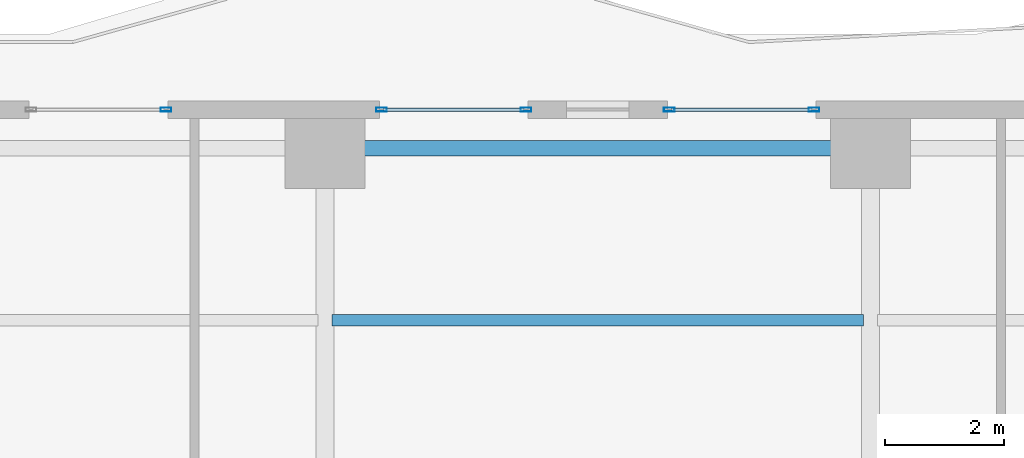
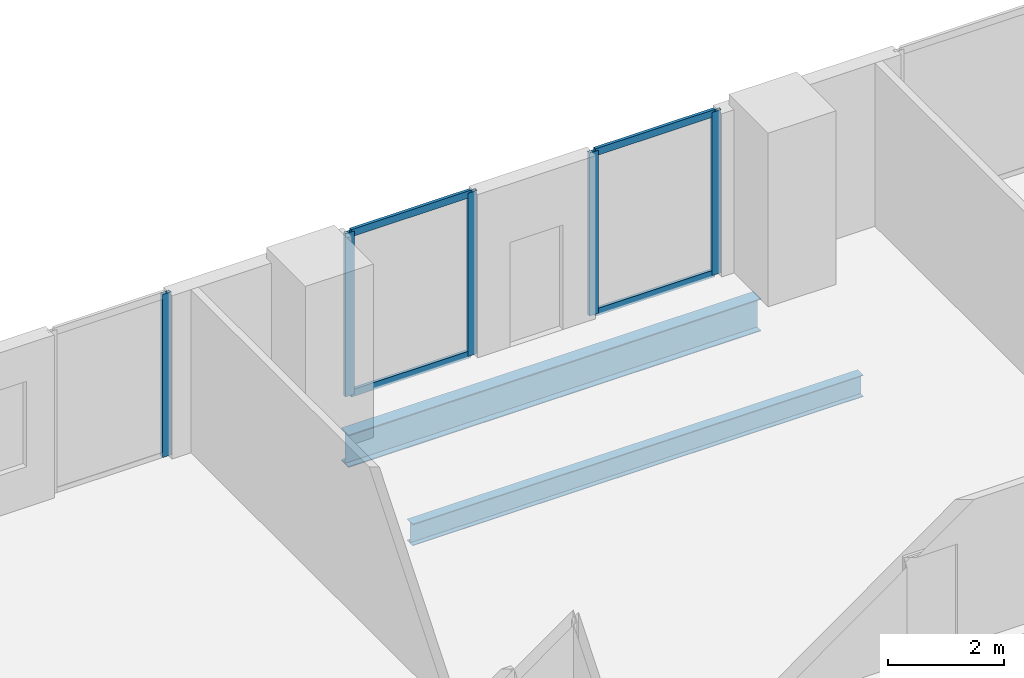
# One storey, part 17 of 28: 9 members, 2 beams, 3 elements without a shape of their own.
"""IFC4 building model written with IfcOpenShell, lengths in metres."""

from ifc_helpers import new_model, si_unit, direction, frame, origin, origin_2d, place, context, subcontext, project, spatial, hollow_rectangle, i_section, extrude, material, layer, layer_set, material_profile, profile_set, type_object, element, aggregate, save


model = new_model("IFC4")

# Units and contexts
model_context = context("Model", 3, precision=1e-05, world=origin(), true_north=direction((0.0, 1.0)))
body_context = subcontext(model_context, "Body", "Model", "MODEL_VIEW")
ifc_project = project(units=[si_unit("LENGTHUNIT", "METRE"), si_unit("AREAUNIT", "SQUARE_METRE"), si_unit("VOLUMEUNIT", "CUBIC_METRE"), si_unit("PLANEANGLEUNIT", "RADIAN"), si_unit("MASSUNIT", "GRAM", prefix="KILO")], contexts=[model_context])

# Site, building, storey
site_placement = place(None, origin())
site = spatial("IfcSite", under=ifc_project, at=site_placement, CompositionType="ELEMENT")
building_placement = place(site_placement, origin())
building = spatial("IfcBuilding", under=site, at=building_placement, Name="Zuhayl Quay Hotel", CompositionType="ELEMENT")
storey_placement = place(building_placement, frame((0.0, 0.0, 143.10009765625)))
storey = spatial("IfcBuildingStorey", under=building, at=storey_placement, Name="L36", CompositionType="ELEMENT", Elevation=143.10009765625)

# Beams
ifc_material_1 = material(Name="Steel ASTM A992 Grade 50", Category="steel")
ifc_material_profile_1 = material_profile(ifc_material_1, i_section(OverallWidth=0.25390625, OverallDepth=0.68310546875, WebThickness=0.012451171875, FlangeThickness=0.018798828125, at=origin_2d()), Name="W27X94")
ifc_profile_set_1 = profile_set([ifc_material_profile_1], Name="Steel ASTM A992 Grade 50")
beam_type_1 = type_object("IfcBeamType", Name="BM_B2_W27X94", PredefinedType="BEAM", material=ifc_profile_set_1)
beam_1_placement = place(storey_placement, frame((4.10009765625, 27.75, -0.5615234375), z_axis=(-1.0, 0.0, 0.0), x_axis=(0.0, -1.0, 0.0)))
element("IfcBeam", 1, at=beam_1_placement, inside=storey, type_object=beam_type_1, Name="L36 Floor Beam RG_L36_08", PredefinedType="BEAM", context=body_context, shape_type="SweptSolid", body=[
    extrude(i_section(OverallWidth=0.25390625, OverallDepth=0.68310546875, WebThickness=0.012451171875, FlangeThickness=0.018798828125, at=origin_2d()), origin(), (0.0, 0.0, 1.0), 8.2001953125),
])
ifc_material_profile_2 = material_profile(ifc_material_1, i_section(OverallWidth=0.18994140625, OverallDepth=0.45703125, WebThickness=0.009033203125, FlangeThickness=0.014404296875, at=origin_2d()), Name="W18X50")
ifc_profile_set_2 = profile_set([ifc_material_profile_2], Name="Steel ASTM A992 Grade 50")
beam_type_2 = type_object("IfcBeamType", Name="BM_J2_W18X50", PredefinedType="JOIST", material=ifc_profile_set_2)
beam_2_placement = place(storey_placement, frame((-4.48095703125, 24.85009765625, -0.448486328125), z_axis=(1.0, 0.0, 0.0), x_axis=(0.0, 1.0, 0.0)))
element("IfcBeam", 2, at=beam_2_placement, inside=storey, type_object=beam_type_2, Name="L36 Floor Beam FJ_L36_4_2", PredefinedType="JOIST", context=body_context, shape_type="SweptSolid", body=[
    extrude(i_section(OverallWidth=0.18994140625, OverallDepth=0.45703125, WebThickness=0.009033203125, FlangeThickness=0.014404296875, at=origin_2d()), origin(), (0.0, 0.0, 1.0), 8.9619140625),
])

# Curtain wall, member
ifc_material_2 = material(Name="Anodised Aluminium 6063-T6", Category="aluminium")
ifc_layer = layer(ifc_material_2, 0.179931640625, Name="Anodised Aluminium 6063-T6", Category="aluminium")
ifc_layer_set = layer_set([ifc_layer], Name="Anodised Aluminium 6063-T6")
curtain_wall_type = type_object("IfcCurtainWallType", Name="CW_SYS_Z2", PredefinedType="USERDEFINED", material=ifc_layer_set)
curtain_wall_1_placement = place(storey_placement, origin())
curtain_wall_1 = element("IfcCurtainWall", 3, at=curtain_wall_1_placement, inside=storey, type_object=curtain_wall_type, Name="L36 Curtain Wall ENV_L36_N_CW2", ObjectType="UNITISED CURTAIN WALL", PredefinedType="USERDEFINED")
ifc_material_3 = material(Name="Black-anodised aluminium 6063-T6", Category="aluminium")
ifc_material_profile_3 = material_profile(ifc_material_3, hollow_rectangle(XDim=0.06494140625, YDim=0.179931640625, WallThickness=0.00341796875, at=origin_2d()), Name="ALU180X65")
ifc_profile_set_3 = profile_set([ifc_material_profile_3], Name="Black-anodised aluminium 6063-T6")
member_type_1 = type_object("IfcMemberType", Name="MB_CW_MUL_180", PredefinedType="MULLION", material=ifc_profile_set_3)
member_1_placement = place(storey_placement, frame((-7.282470703125, 28.39990234375, 0.0), z_axis=(0.0, 0.0, 1.0), x_axis=(0.0, 1.0, 0.0)))
member_1 = element("IfcMember", 4, at=member_1_placement, type_object=member_type_1, Name="CW-Z2 mullion 2", PredefinedType="MULLION", context=body_context, shape_type="SweptSolid", body=[
    extrude(hollow_rectangle(XDim=0.06494140625, YDim=0.179931640625, WallThickness=0.00341796875, at=origin_2d()), origin(), (0.0, 0.0, 1.0), 3.429931640625),
])
aggregate(curtain_wall_1, [member_1])

# Curtain wall, members
curtain_wall_2_placement = place(storey_placement, origin())
curtain_wall_2 = element("IfcCurtainWall", 5, at=curtain_wall_2_placement, inside=storey, type_object=curtain_wall_type, Name="L36 Curtain Wall ENV_L36_N_CW3", ObjectType="UNITISED CURTAIN WALL", PredefinedType="USERDEFINED")
member_2_placement = place(storey_placement, frame((-3.6474609375, 28.39990234375, 0.0), z_axis=(0.0, 0.0, 1.0), x_axis=(0.0, 1.0, 0.0)))
member_2 = element("IfcMember", 6, at=member_2_placement, type_object=member_type_1, Name="CW-Z2 mullion 1", PredefinedType="MULLION", context=body_context, shape_type="SweptSolid", body=[
    extrude(hollow_rectangle(XDim=0.06494140625, YDim=0.179931640625, WallThickness=0.00341796875, at=origin_2d()), origin(), (0.0, 0.0, 1.0), 3.429931640625),
])
member_3_placement = place(storey_placement, frame((-1.20751953125, 28.39990234375, 0.0), z_axis=(0.0, 0.0, 1.0), x_axis=(0.0, 1.0, 0.0)))
member_3 = element("IfcMember", 7, at=member_3_placement, type_object=member_type_1, Name="CW-Z2 mullion 2", PredefinedType="MULLION", context=body_context, shape_type="SweptSolid", body=[
    extrude(hollow_rectangle(XDim=0.06494140625, YDim=0.179931640625, WallThickness=0.00341796875, at=origin_2d()), origin(), (0.0, 0.0, 1.0), 3.429931640625),
])

curtain_wall_3_placement = place(storey_placement, origin())
curtain_wall_3 = element("IfcCurtainWall", 8, at=curtain_wall_3_placement, inside=storey, type_object=curtain_wall_type, Name="L36 Curtain Wall ENV_L36_N_CW4", ObjectType="UNITISED CURTAIN WALL", PredefinedType="USERDEFINED")
member_4_placement = place(storey_placement, frame((1.20751953125, 28.39990234375, 0.0), z_axis=(0.0, 0.0, 1.0), x_axis=(0.0, 1.0, 0.0)))
member_4 = element("IfcMember", 9, at=member_4_placement, type_object=member_type_1, Name="CW-Z2 mullion 1", PredefinedType="MULLION", context=body_context, shape_type="SweptSolid", body=[
    extrude(hollow_rectangle(XDim=0.06494140625, YDim=0.179931640625, WallThickness=0.00341796875, at=origin_2d()), origin(), (0.0, 0.0, 1.0), 3.429931640625),
])
member_5_placement = place(storey_placement, frame((3.6474609375, 28.39990234375, 0.0), z_axis=(0.0, 0.0, 1.0), x_axis=(0.0, 1.0, 0.0)))
member_5 = element("IfcMember", 10, at=member_5_placement, type_object=member_type_1, Name="CW-Z2 mullion 2", PredefinedType="MULLION", context=body_context, shape_type="SweptSolid", body=[
    extrude(hollow_rectangle(XDim=0.06494140625, YDim=0.179931640625, WallThickness=0.00341796875, at=origin_2d()), origin(), (0.0, 0.0, 1.0), 3.429931640625),
])

# Member
ifc_material_profile_4 = material_profile(ifc_material_3, hollow_rectangle(XDim=0.06005859375, YDim=0.14990234375, WallThickness=0.00341796875, at=origin_2d()), Name="ALU150X60")
ifc_profile_set_4 = profile_set([ifc_material_profile_4], Name="Black-anodised aluminium 6063-T6")
member_type_2 = type_object("IfcMemberType", Name="MB_CW_TRN_150", PredefinedType="USERDEFINED", material=ifc_profile_set_4)
member_6_placement = place(storey_placement, frame((-3.614990234375, 28.39990234375, 0.02978515625), z_axis=(1.0, 0.0, 0.0), x_axis=(0.0, 1.0, 0.0)))
member_6 = element("IfcMember", 11, at=member_6_placement, type_object=member_type_2, Name="CW-Z2 transom 1.1", ObjectType="TRANSOM", PredefinedType="USERDEFINED", context=body_context, shape_type="SweptSolid", body=[
    extrude(hollow_rectangle(XDim=0.06005859375, YDim=0.14990234375, WallThickness=0.00341796875, at=origin_2d()), origin(), (0.0, 0.0, 1.0), 2.375),
])

member_7_placement = place(storey_placement, frame((-3.614990234375, 28.39990234375, 3.39990234375), z_axis=(1.0, 0.0, 0.0), x_axis=(0.0, 1.0, 0.0)))
member_7 = element("IfcMember", 12, at=member_7_placement, type_object=member_type_2, Name="CW-Z2 transom 1.2", ObjectType="TRANSOM", PredefinedType="USERDEFINED", context=body_context, shape_type="SweptSolid", body=[
    extrude(hollow_rectangle(XDim=0.06005859375, YDim=0.14990234375, WallThickness=0.00341796875, at=origin_2d()), origin(), (0.0, 0.0, 1.0), 2.375),
])

aggregate(curtain_wall_2, [member_2, member_3, member_6, member_7])

member_8_placement = place(storey_placement, frame((1.239990234375, 28.39990234375, 0.02978515625), z_axis=(1.0, 0.0, 0.0), x_axis=(0.0, 1.0, 0.0)))
member_8 = element("IfcMember", 13, at=member_8_placement, type_object=member_type_2, Name="CW-Z2 transom 1.1", ObjectType="TRANSOM", PredefinedType="USERDEFINED", context=body_context, shape_type="SweptSolid", body=[
    extrude(hollow_rectangle(XDim=0.06005859375, YDim=0.14990234375, WallThickness=0.00341796875, at=origin_2d()), origin(), (0.0, 0.0, 1.0), 2.375),
])

member_9_placement = place(storey_placement, frame((1.239990234375, 28.39990234375, 3.39990234375), z_axis=(1.0, 0.0, 0.0), x_axis=(0.0, 1.0, 0.0)))
member_9 = element("IfcMember", 14, at=member_9_placement, type_object=member_type_2, Name="CW-Z2 transom 1.2", ObjectType="TRANSOM", PredefinedType="USERDEFINED", context=body_context, shape_type="SweptSolid", body=[
    extrude(hollow_rectangle(XDim=0.06005859375, YDim=0.14990234375, WallThickness=0.00341796875, at=origin_2d()), origin(), (0.0, 0.0, 1.0), 2.375),
])

aggregate(curtain_wall_3, [member_4, member_5, member_8, member_9])

save(model, "model.ifc")
